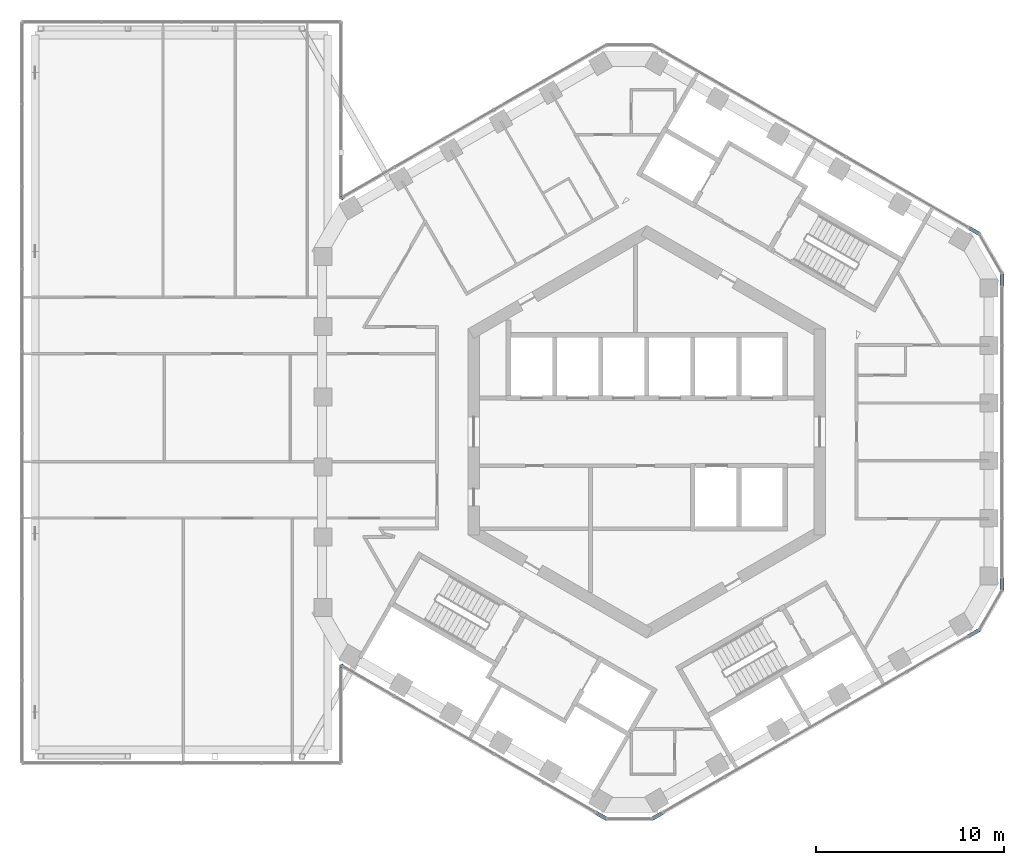
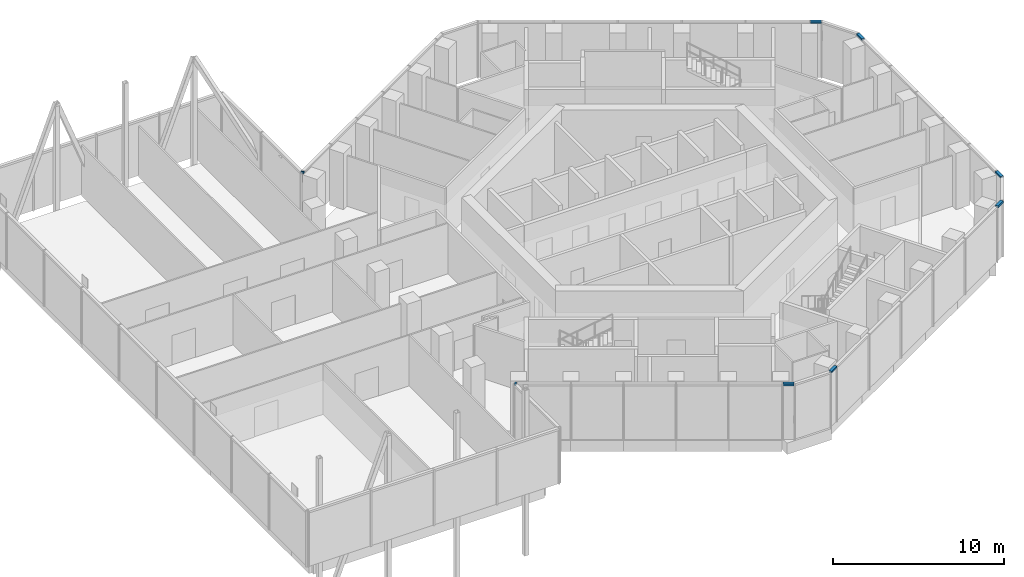
# One storey, part 7 of 21: 8 members, 5 elements without a shape of their own.
"""IFC4 building model written with IfcOpenShell, lengths in metres."""

import ifcopenshell
import ifcopenshell.guid

model = None  # the IFC model being written
_history = None  # IfcOwnerHistory: only IFC2X3 demands one
_inside = {}  # id of a spatial element -> (the spatial element, [elements in it])
_under = {}  # id of a project, library or spatial element -> (it, [spatial elements below it])
_declared = {}  # id of a project -> (the project, [libraries it declares])
_typed = {}  # id of a type object -> (the type object, [elements of that type])
_made_of = {}  # id of a material, layer set ... -> (it, [elements and type objects made of it])


def new_model(schema):
    """Start an empty IFC model of exactly this schema.

    Asked for "IFC4X3", IfcOpenShell would pick the latest addendum, in which some entities
    have other attributes; the version numbers below select the first issue.
    IFC2X3 requires an IfcOwnerHistory on every rooted entity: one is made here for all.
    """
    global model, _history
    if schema == "IFC4X3":
        model = ifcopenshell.file(schema_version=(4, 3, 0, 0))
    else:
        model = ifcopenshell.file(schema=schema)
    _inside.clear()
    _under.clear()
    _declared.clear()
    _typed.clear()
    _made_of.clear()
    _history = None
    if model.schema == "IFC2X3":
        org = make("IfcOrganization", Name="unknown")
        user = make(
            "IfcPersonAndOrganization",
            ThePerson=make("IfcPerson", FamilyName="unknown"),
            TheOrganization=org,
        )
        app = make(
            "IfcApplication",
            ApplicationDeveloper=org,
            Version="unknown",
            ApplicationFullName="unknown",
            ApplicationIdentifier="unknown",
        )
        _history = make(
            "IfcOwnerHistory",
            OwningUser=user,
            OwningApplication=app,
            ChangeAction="ADDED",
            CreationDate=0,
        )
    return model


def make(cls, **values):
    """One entity of the class cls with the attributes given. An attribute that is None is left unset."""
    return model.create_entity(
        cls, **{name: value for name, value in values.items() if value is not None}
    )


def rooted(cls, **values):
    """An entity with a GlobalId (a new one), such as an element, a storey or a relation."""
    return make(cls, GlobalId=ifcopenshell.guid.new(), OwnerHistory=_history, **values)


def si_unit(unit_type, name, prefix=None):
    """IfcSIUnit, for example si_unit("LENGTHUNIT", "METRE", prefix="MILLI")."""
    return make("IfcSIUnit", UnitType=unit_type, Prefix=prefix, Name=name)


def assignment(units):
    """IfcUnitAssignment: the units of a project."""
    return None if units is None else make("IfcUnitAssignment", Units=units)


def point(xyz):
    """IfcCartesianPoint."""
    return None if xyz is None else make("IfcCartesianPoint", Coordinates=xyz)


def direction(xyz):
    """IfcDirection."""
    return None if xyz is None else make("IfcDirection", DirectionRatios=xyz)


def frame(location, z_axis=None, x_axis=None):
    """IfcAxis2Placement3D, a coordinate frame: its origin and axes. An axis left out is left unset."""
    return make(
        "IfcAxis2Placement3D",
        Location=point(location),
        Axis=direction(z_axis),
        RefDirection=direction(x_axis),
    )


def frame_2d(location, x_axis=None):
    """IfcAxis2Placement2D, a coordinate frame in the plane: its origin and x axis."""
    return make(
        "IfcAxis2Placement2D", Location=point(location), RefDirection=direction(x_axis)
    )


def origin():
    """The frame at (0, 0, 0) with its axes left unset."""
    return frame((0.0, 0.0, 0.0))


def origin_2d():
    """The frame at (0, 0) in the plane with its x axis left unset."""
    return frame_2d((0.0, 0.0))


def place(relative_to, where):
    """IfcLocalPlacement: puts the frame where relative to a parent placement (None: the world)."""
    return make(
        "IfcLocalPlacement", PlacementRelTo=relative_to, RelativePlacement=where
    )


def context(
    kind, dimensions, precision=None, world=None, true_north=None, identifier=None
):
    """IfcGeometricRepresentationContext, for example the 3D "Model" context."""
    return make(
        "IfcGeometricRepresentationContext",
        ContextIdentifier=identifier,
        ContextType=kind,
        CoordinateSpaceDimension=dimensions,
        Precision=precision,
        WorldCoordinateSystem=world,
        TrueNorth=true_north,
    )


def subcontext(parent, identifier, kind, view, scale=None):
    """IfcGeometricRepresentationSubContext, for example "Body" below "Model"."""
    return make(
        "IfcGeometricRepresentationSubContext",
        ContextIdentifier=identifier,
        ContextType=kind,
        ParentContext=parent,
        TargetScale=scale,
        TargetView=view,
    )


def project(units=None, contexts=None):
    """IfcProject with its units and contexts."""
    return rooted(
        "IfcProject",
        Name="project",
        RepresentationContexts=contexts,
        UnitsInContext=assignment(units),
    )


def spatial(cls, under=None, at=None, **own):
    """A site, building, storey or space (cls), placed at a placement, below another one or the project."""
    s = rooted(cls, ObjectPlacement=at, **own)
    if under is not None:
        _under.setdefault(under.id(), (under, []))[1].append(s)
    return s


def profile(cls, at=None, kind="AREA", **sizes):
    """A parametric profile (cls). Its sizes go by their IFC names, for example OverallWidth=200.0."""
    return make(cls, ProfileType=kind, Position=at, **sizes)


def rectangle(**sizes):
    """IfcRectangleProfileDef."""
    return profile("IfcRectangleProfileDef", **sizes)


def extrude(swept, where, along, depth):
    """IfcExtrudedAreaSolid: the profile swept, set in the frame where, extruded along a direction by depth."""
    return make(
        "IfcExtrudedAreaSolid",
        SweptArea=swept,
        Position=where,
        ExtrudedDirection=direction(along),
        Depth=depth,
    )


def shape(context_of_items, identifier, shape_type, items):
    """IfcShapeRepresentation: the items that make up one representation, for example the "Body"."""
    return make(
        "IfcShapeRepresentation",
        ContextOfItems=context_of_items,
        RepresentationIdentifier=identifier,
        RepresentationType=shape_type,
        Items=items,
    )


def material(Name=None, Category=None):
    """IfcMaterial."""
    return make("IfcMaterial", Name=Name, Category=Category)


def layer(
    of_material, thickness, ventilated=None, Name=None, Category=None, Priority=None
):
    """IfcMaterialLayer: one layer of a wall or slab, of a material (None: an air gap)."""
    return make(
        "IfcMaterialLayer",
        Material=of_material,
        LayerThickness=thickness,
        IsVentilated=ventilated,
        Name=Name,
        Category=Category,
        Priority=Priority,
    )


def layer_set(layers, Name=None):
    """IfcMaterialLayerSet."""
    return make("IfcMaterialLayerSet", MaterialLayers=layers, LayerSetName=Name)


def material_profile(
    of_material, cross_section, Name=None, Category=None, Priority=None
):
    """IfcMaterialProfile: a cross section and its material."""
    return make(
        "IfcMaterialProfile",
        Name=Name,
        Material=of_material,
        Profile=cross_section,
        Priority=Priority,
        Category=Category,
    )


def profile_set(profiles, Name=None, composite=None):
    """IfcMaterialProfileSet."""
    return make(
        "IfcMaterialProfileSet",
        Name=Name,
        MaterialProfiles=profiles,
        CompositeProfile=composite,
    )


def made_of(thing, what):
    """Note that an element or type object is made of a material, layer set ...; save() writes the relation."""
    if what is not None:
        _made_of.setdefault(what.id(), (what, []))[1].append(thing)
    return thing


def type_object(cls, material=None, **own):
    """A type object (cls), such as IfcWallType, which elements share."""
    return made_of(rooted(cls, **own), material)


def element(
    cls,
    number,
    at=None,
    inside=None,
    cuts=None,
    type_object=None,
    material=None,
    context=None,
    identifier="Body",
    shape_type=None,
    held_by="IfcProductDefinitionShape",
    body=None,
    shapes=None,
    **own,
):
    """One element of the class cls, such as IfcWall. Its Tag is "e" and its number.

    at: its placement. inside: the storey or other place that contains it. cuts: it is an
    opening in that element (IfcRelVoidsElement). A single representation is given by context,
    identifier, shape_type and body (its items); several are given by shapes. held_by: the class
    of the entity that holds the representations. save() writes the other relations.
    """
    e = rooted(cls, Tag="e%d" % number, ObjectPlacement=at, **own)
    if body is not None:
        shapes = [shape(context, identifier, shape_type, body)]
    if shapes is not None:
        e.Representation = make(held_by, Representations=shapes)
    if inside is not None:
        _inside.setdefault(inside.id(), (inside, []))[1].append(e)
    if cuts is not None:
        rooted(
            "IfcRelVoidsElement", RelatingBuildingElement=cuts, RelatedOpeningElement=e
        )
    if type_object is not None:
        _typed.setdefault(type_object.id(), (type_object, []))[1].append(e)
    return made_of(e, material)


def aggregate(whole, parts):
    """IfcRelAggregates: a whole, such as a stair, and the parts it consists of."""
    return rooted("IfcRelAggregates", RelatingObject=whole, RelatedObjects=parts)


def save(model, path):
    """Write the relations noted so far, then the file.

    IfcRelAggregates (storeys below a building ...), IfcRelContainedInSpatialStructure (elements
    in a storey), IfcRelDefinesByType, IfcRelAssociatesMaterial and IfcRelDeclares: one each for
    every whole, place, type object, material and project.
    """
    for whole, parts in _under.values():
        aggregate(whole, parts)
    for where, things in _inside.values():
        rooted(
            "IfcRelContainedInSpatialStructure",
            RelatedElements=things,
            RelatingStructure=where,
        )
    for kind, things in _typed.values():
        rooted("IfcRelDefinesByType", RelatedObjects=things, RelatingType=kind)
    for what, things in _made_of.values():
        rooted("IfcRelAssociatesMaterial", RelatedObjects=things, RelatingMaterial=what)
    for by, libraries in _declared.values():
        rooted("IfcRelDeclares", RelatingContext=by, RelatedDefinitions=libraries)
    model.write(path)


model = new_model("IFC4")

# Units and contexts
model_context = context("Model", 3, precision=1e-05, world=origin(), true_north=direction((0.0, 1.0)))
body_context = subcontext(model_context, "Body", "Model", "MODEL_VIEW")
ifc_project = project(units=[si_unit("LENGTHUNIT", "METRE"), si_unit("AREAUNIT", "SQUARE_METRE"), si_unit("VOLUMEUNIT", "CUBIC_METRE"), si_unit("PLANEANGLEUNIT", "RADIAN"), si_unit("MASSUNIT", "GRAM", prefix="KILO")], contexts=[model_context])

# Site, building, storey
site_placement = place(None, origin())
site = spatial("IfcSite", under=ifc_project, at=site_placement, CompositionType="ELEMENT")
building_placement = place(site_placement, origin())
building = spatial("IfcBuilding", under=site, at=building_placement, Name="Ayvan Gate Tower", CompositionType="ELEMENT")
storey_placement = place(building_placement, frame((0.0, 0.0, 206.10009765625)))
storey = spatial("IfcBuildingStorey", under=building, at=storey_placement, Name="L55", CompositionType="ELEMENT", Elevation=206.10009765625)

# Curtain wall, members
ifc_material = material(Name="Bronze anodised aluminium", Category="aluminium")
ifc_layer = layer(ifc_material, 0.199951171875)
ifc_layer_set = layer_set([ifc_layer], Name="Bronze anodised aluminium")
curtain_wall_type = type_object("IfcCurtainWallType", Name="Stick curtain wall CW-6", PredefinedType="NOTDEFINED", material=ifc_layer_set)
curtain_wall_1_placement = place(storey_placement, origin())
curtain_wall_1 = element("IfcCurtainWall", 1, at=curtain_wall_1_placement, inside=storey, type_object=curtain_wall_type, Name="Stick curtain wall CW-6 L55", PredefinedType="NOTDEFINED")
ifc_material_profile = material_profile(ifc_material, rectangle(XDim=0.199951171875, YDim=0.1201171875, at=origin_2d()), Name="Stick curtain wall CW-6 transom 200 x 120")
ifc_profile_set = profile_set([ifc_material_profile], Name="Bronze anodised aluminium")
member_type = type_object("IfcMemberType", Name="Stick curtain wall CW-6 transom 200 x 120", PredefinedType="USERDEFINED", material=ifc_profile_set)
member_1_placement = place(storey_placement, frame((-2.702392578125, -20.248046875, 3.93994140625), z_axis=(0.866022959057, -0.500004234368, 0.0), x_axis=(0.500004234368, 0.866022959057, 0.0)))
member_1 = element("IfcMember", 2, at=member_1_placement, type_object=member_type, Name="CW-6 transom 1", ObjectType="TRANSOM", PredefinedType="USERDEFINED", context=body_context, shape_type="SweptSolid", body=[
    extrude(rectangle(XDim=0.199951171875, YDim=0.1201171875, at=origin_2d()), origin(), (0.0, 0.0, 1.0), 0.625),
])
member_2_placement = place(storey_placement, frame((0.296875, -20.560546875, 3.93994140625), z_axis=(0.866022959057, 0.500004234368, 0.0), x_axis=(-0.500004234368, 0.866022959057, 0.0)))
member_2 = element("IfcMember", 3, at=member_2_placement, type_object=member_type, Name="CW-6 transom 3", ObjectType="TRANSOM", PredefinedType="USERDEFINED", context=body_context, shape_type="SweptSolid", body=[
    extrude(rectangle(XDim=0.199951171875, YDim=0.1201171875, at=origin_2d()), origin(), (0.0, 0.0, 1.0), 0.625),
])
aggregate(curtain_wall_1, [member_1, member_2])

curtain_wall_2_placement = place(storey_placement, origin())
curtain_wall_2 = element("IfcCurtainWall", 4, at=curtain_wall_2_placement, inside=storey, type_object=curtain_wall_type, Name="Stick curtain wall CW-6 L55", PredefinedType="NOTDEFINED")
member_3_placement = place(storey_placement, frame((17.116455078125, -10.849853515625, 3.93994140625), z_axis=(0.866022959057, 0.500004234368, 0.0), x_axis=(-0.500004234368, 0.866022959057, 0.0)))
member_3 = element("IfcMember", 5, at=member_3_placement, type_object=member_type, Name="CW-6 transom 1", ObjectType="TRANSOM", PredefinedType="USERDEFINED", context=body_context, shape_type="SweptSolid", body=[
    extrude(rectangle(XDim=0.199951171875, YDim=0.1201171875, at=origin_2d()), origin(), (0.0, 0.0, 1.0), 0.625),
])
member_4_placement = place(storey_placement, frame((18.886474609375, -8.40869140625, 3.93994140625), z_axis=(0.0, 1.0, 0.0), x_axis=(-1.0, 0.0, 0.0)))
member_4 = element("IfcMember", 6, at=member_4_placement, type_object=member_type, Name="CW-6 transom 3", ObjectType="TRANSOM", PredefinedType="USERDEFINED", context=body_context, shape_type="SweptSolid", body=[
    extrude(rectangle(XDim=0.199951171875, YDim=0.1201171875, at=origin_2d()), origin(), (0.0, 0.0, 1.0), 0.625),
])
aggregate(curtain_wall_2, [member_3, member_4])

curtain_wall_3_placement = place(storey_placement, origin())
curtain_wall_3 = element("IfcCurtainWall", 7, at=curtain_wall_3_placement, inside=storey, type_object=curtain_wall_type, Name="Stick curtain wall CW-6 L55", PredefinedType="NOTDEFINED")
member_5_placement = place(storey_placement, frame((18.886474609375, 7.78369140625, 3.93994140625), z_axis=(0.0, 1.0, 0.0), x_axis=(-1.0, 0.0, 0.0)))
member_5 = element("IfcMember", 8, at=member_5_placement, type_object=member_type, Name="CW-6 transom 1", ObjectType="TRANSOM", PredefinedType="USERDEFINED", context=body_context, shape_type="SweptSolid", body=[
    extrude(rectangle(XDim=0.199951171875, YDim=0.1201171875, at=origin_2d()), origin(), (0.0, 0.0, 1.0), 0.625),
])
member_6_placement = place(storey_placement, frame((17.65771484375, 10.537353515625, 3.93994140625), z_axis=(-0.866022959057, 0.500004234368, 0.0), x_axis=(-0.500004234368, -0.866022959057, 0.0)))
member_6 = element("IfcMember", 9, at=member_6_placement, type_object=member_type, Name="CW-6 transom 3", ObjectType="TRANSOM", PredefinedType="USERDEFINED", context=body_context, shape_type="SweptSolid", body=[
    extrude(rectangle(XDim=0.199951171875, YDim=0.1201171875, at=origin_2d()), origin(), (0.0, 0.0, 1.0), 0.625),
])
aggregate(curtain_wall_3, [member_5, member_6])

# Curtain wall, member
curtain_wall_4_placement = place(storey_placement, origin())
curtain_wall_4 = element("IfcCurtainWall", 10, at=curtain_wall_4_placement, inside=storey, type_object=curtain_wall_type, Name="Stick curtain wall CW-6 L55", PredefinedType="NOTDEFINED")
member_7_placement = place(storey_placement, frame((-16.184326171875, 12.46435546875, 3.93994140625), z_axis=(-0.705875962776, -0.708335460904, 0.0), x_axis=(0.708335460904, -0.705875962776, 0.0)))
member_7 = element("IfcMember", 11, at=member_7_placement, type_object=member_type, Name="CW-6 transom 1", ObjectType="TRANSOM", PredefinedType="USERDEFINED", context=body_context, shape_type="SweptSolid", body=[
    extrude(rectangle(XDim=0.199951171875, YDim=0.1201171875, at=origin_2d()), origin(), (0.0, 0.0, 1.0), 0.099365234375),
])
aggregate(curtain_wall_4, [member_7])

curtain_wall_5_placement = place(storey_placement, origin())
curtain_wall_5 = element("IfcCurtainWall", 12, at=curtain_wall_5_placement, inside=storey, type_object=curtain_wall_type, Name="Stick curtain wall CW-6 L55", PredefinedType="NOTDEFINED")
member_8_placement = place(storey_placement, frame((-16.25439453125, -12.39404296875, 3.93994140625), z_axis=(0.705875962776, -0.708335460904, 0.0), x_axis=(0.708335460904, 0.705875962776, 0.0)))
member_8 = element("IfcMember", 13, at=member_8_placement, type_object=member_type, Name="CW-6 transom 1", ObjectType="TRANSOM", PredefinedType="USERDEFINED", context=body_context, shape_type="SweptSolid", body=[
    extrude(rectangle(XDim=0.199951171875, YDim=0.1201171875, at=origin_2d()), origin(), (0.0, 0.0, 1.0), 0.099365234375),
])
aggregate(curtain_wall_5, [member_8])

save(model, "model.ifc")
